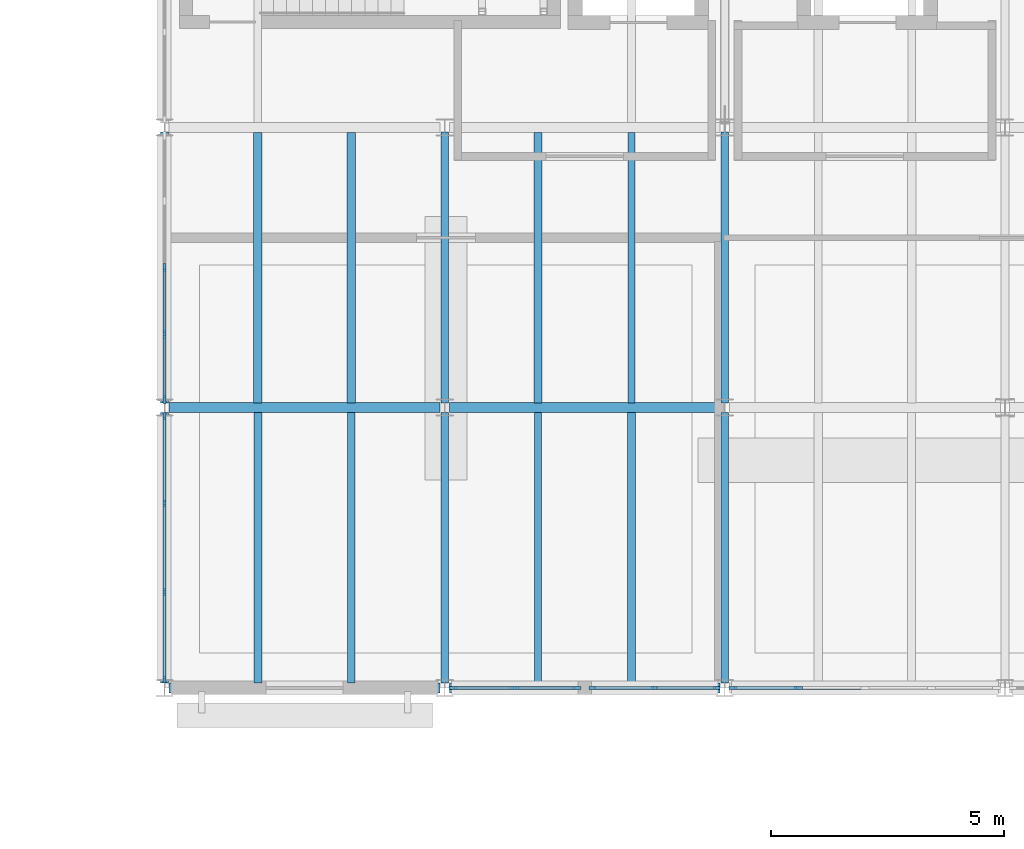
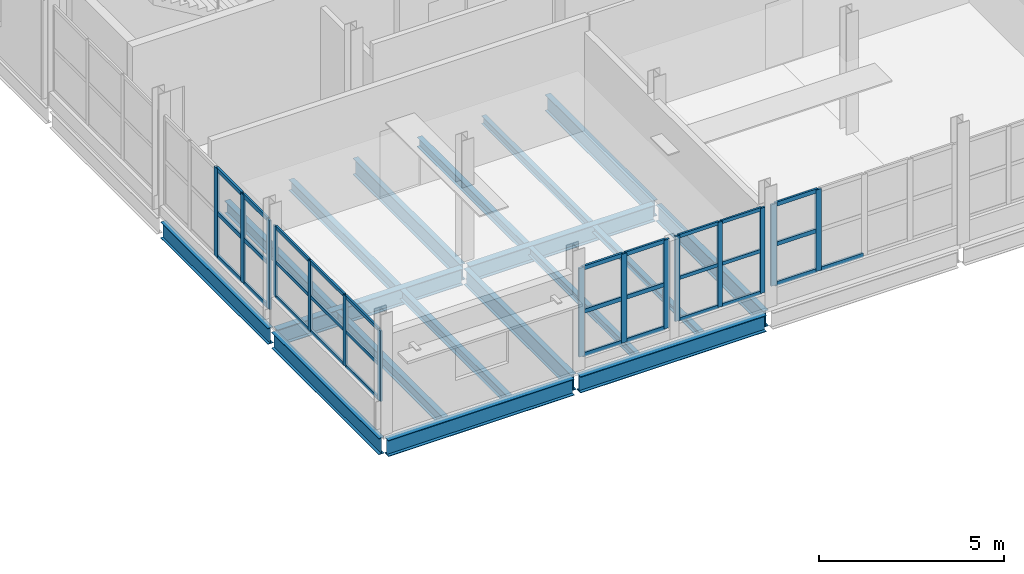
# One storey, part 14 of 45: 46 members, 18 beams, 5 elements without a shape of their own.
"""IFC4 building model written with IfcOpenShell, lengths in metres."""

from ifc_helpers import new_model, si_unit, direction, frame, origin, origin_2d, place, context, subcontext, project, spatial, rectangle, i_section, extrude, material, material_profile, profile_set, type_object, element, aggregate, save


model = new_model("IFC4")

# Units and contexts
model_context = context("Model", 3, precision=1e-05, world=origin(), true_north=direction((0.0, 1.0)))
body_context = subcontext(model_context, "Body", "Model", "MODEL_VIEW")
ifc_project = project(units=[si_unit("LENGTHUNIT", "METRE"), si_unit("AREAUNIT", "SQUARE_METRE"), si_unit("VOLUMEUNIT", "CUBIC_METRE"), si_unit("PLANEANGLEUNIT", "RADIAN"), si_unit("MASSUNIT", "GRAM", prefix="KILO")], contexts=[model_context])

# Site, building, storey
site_placement = place(None, origin())
site = spatial("IfcSite", under=ifc_project, at=site_placement, CompositionType="ELEMENT")
building_placement = place(site_placement, origin())
building = spatial("IfcBuilding", under=site, at=building_placement, Name="Siltcreek Boulevard Central Fire Station", CompositionType="ELEMENT")
storey_placement = place(building_placement, frame((0.0, 0.0, 10.0)))
storey = spatial("IfcBuildingStorey", under=building, at=storey_placement, Name="L03", CompositionType="ELEMENT", Elevation=10.0)

# Beams
ifc_material_1 = material(Name="Structural steel ASTM A992 Gr50", Category="steel")
ifc_material_profile_1 = material_profile(ifc_material_1, i_section(OverallWidth=0.2109375, OverallDepth=0.5390625, WebThickness=0.01171875, FlangeThickness=0.018798828125, at=origin_2d()), Name="W530X109")
ifc_profile_set_1 = profile_set([ifc_material_profile_1], Name="Structural steel ASTM A992 Gr50")
beam_type_1 = type_object("IfcBeamType", Name="BM_W530X109", PredefinedType="BEAM", material=ifc_profile_set_1)
for number, where, z_axis, x_axis, name in (
    (1, (124.300048828125, 88.199951171875, -0.549560546875), (1.0, 0.0, 0.0), (0.0, 1.0, 0.0), "L03 primary steel girder GX-0400"),
    (2, (130.300048828125, 88.199951171875, -0.549560546875), (1.0, 0.0, 0.0), (0.0, 1.0, 0.0), "L03 primary steel girder GX-0401"),
    (3, (124.300048828125, 94.199951171875, -0.549560546875), (1.0, 0.0, 0.0), (0.0, 1.0, 0.0), "L03 primary steel girder GX-0407"),
    (4, (130.300048828125, 94.199951171875, -0.549560546875), (1.0, 0.0, 0.0), (0.0, 1.0, 0.0), "L03 primary steel girder GX-0408"),
):
    element("IfcBeam", number, at=place(storey_placement, frame(where, z_axis=z_axis, x_axis=x_axis)), inside=storey, type_object=beam_type_1, Name=name, PredefinedType="BEAM", context=body_context, shape_type="SweptSolid", body=[
        extrude(i_section(OverallWidth=0.2109375, OverallDepth=0.5390625, WebThickness=0.01171875, FlangeThickness=0.018798828125, at=origin_2d()), origin(), (0.0, 0.0, 1.0), 5.800048828125),
    ])
ifc_material_profile_2 = material_profile(ifc_material_1, i_section(OverallWidth=0.166015625, OverallDepth=0.534912109375, WebThickness=0.01025390625, FlangeThickness=0.0166015625, at=origin_2d()), Name="W530X85")
ifc_profile_set_2 = profile_set([ifc_material_profile_2], Name="Structural steel ASTM A992 Gr50")
beam_type_2 = type_object("IfcBeamType", Name="BM_W530X85", PredefinedType="BEAM", material=ifc_profile_set_2)
for number, where, z_axis, x_axis, name in (
    (5, (124.199951171875, 88.300048828125, -0.547607421875), (0.0, 1.0, 0.0), (-1.0, 0.0, 0.0), "L03 primary steel girder GY-0435"),
    (6, (124.199951171875, 94.300048828125, -0.547607421875), (0.0, 1.0, 0.0), (-1.0, 0.0, 0.0), "L03 primary steel girder GY-0436"),
    (7, (130.199951171875, 88.300048828125, -0.547607421875), (0.0, 1.0, 0.0), (-1.0, 0.0, 0.0), "L03 primary steel girder GY-0439"),
    (8, (130.199951171875, 94.300048828125, -0.547607421875), (0.0, 1.0, 0.0), (-1.0, 0.0, 0.0), "L03 primary steel girder GY-0440"),
    (9, (136.199951171875, 88.300048828125, -0.547607421875), (0.0, 1.0, 0.0), (-1.0, 0.0, 0.0), "L03 primary steel girder GY-0442"),
    (10, (136.199951171875, 94.300048828125, -0.547607421875), (0.0, 1.0, 0.0), (-1.0, 0.0, 0.0), "L03 primary steel girder GY-0443"),
):
    element("IfcBeam", number, at=place(storey_placement, frame(where, z_axis=z_axis, x_axis=x_axis)), inside=storey, type_object=beam_type_2, Name=name, PredefinedType="BEAM", context=body_context, shape_type="SweptSolid", body=[
        extrude(i_section(OverallWidth=0.166015625, OverallDepth=0.534912109375, WebThickness=0.01025390625, FlangeThickness=0.0166015625, at=origin_2d()), origin(), (0.0, 0.0, 1.0), 5.800048828125),
    ])

# Curtain wall, members
ifc_material_2 = material(Name="Anodized aluminum and low-E insulated glazing", Category="aluminium")
curtain_wall_type_1 = type_object("IfcCurtainWallType", Name="CW_SYS_02", PredefinedType="USERDEFINED", material=ifc_material_2)
curtain_wall_1_placement = place(storey_placement, origin())
curtain_wall_1 = element("IfcCurtainWall", 11, at=curtain_wall_1_placement, inside=storey, type_object=curtain_wall_type_1, Name="L03 V5 unitised curtain wall CW-151", ObjectType="CURTAIN WALL", PredefinedType="USERDEFINED")
ifc_material_3 = material(Name="Anodized 6063-T6 aluminum framing", Category="aluminium")
ifc_material_profile_3 = material_profile(ifc_material_3, rectangle(XDim=0.06005859375, YDim=0.14990234375, at=origin_2d()), Name="MULL60X150")
ifc_profile_set_3 = profile_set([ifc_material_profile_3], Name="Anodized 6063-T6 aluminum framing")
member_type_1 = type_object("IfcMemberType", Name="CWM_60X150", PredefinedType="MULLION", material=ifc_profile_set_3)
member_1_placement = place(storey_placement, frame((133.3701171875, 88.199951171875, 0.43994140625), z_axis=(0.0, 0.0, 1.0), x_axis=(0.0, 1.0, 0.0)))
member_1 = element("IfcMember", 12, at=member_1_placement, type_object=member_type_1, Name="CW-151 mullion 1", PredefinedType="MULLION", context=body_context, shape_type="SweptSolid", body=[
    extrude(rectangle(XDim=0.06005859375, YDim=0.14990234375, at=origin_2d()), origin(), (0.0, 0.0, 1.0), 2.80908203125),
])
member_2_placement = place(storey_placement, frame((134.697509765625, 88.199951171875, 0.43994140625), z_axis=(0.0, 0.0, 1.0), x_axis=(0.0, 1.0, 0.0)))
member_2 = element("IfcMember", 13, at=member_2_placement, type_object=member_type_1, Name="CW-151 mullion 2", PredefinedType="MULLION", context=body_context, shape_type="SweptSolid", body=[
    extrude(rectangle(XDim=0.06005859375, YDim=0.14990234375, at=origin_2d()), origin(), (0.0, 0.0, 1.0), 2.80908203125),
])
member_3_placement = place(storey_placement, frame((136.02490234375, 88.199951171875, 0.43994140625), z_axis=(0.0, 0.0, 1.0), x_axis=(0.0, 1.0, 0.0)))
member_3 = element("IfcMember", 14, at=member_3_placement, type_object=member_type_1, Name="CW-151 mullion 3", PredefinedType="MULLION", context=body_context, shape_type="SweptSolid", body=[
    extrude(rectangle(XDim=0.06005859375, YDim=0.14990234375, at=origin_2d()), origin(), (0.0, 0.0, 1.0), 2.80908203125),
])

curtain_wall_type_2 = type_object("IfcCurtainWallType", Name="CW_SYS_12", PredefinedType="USERDEFINED", material=ifc_material_2)
curtain_wall_2_placement = place(storey_placement, origin())
curtain_wall_2 = element("IfcCurtainWall", 15, at=curtain_wall_2_placement, inside=storey, type_object=curtain_wall_type_2, Name="L03 V5 unitised curtain wall CW-161", ObjectType="CURTAIN WALL", PredefinedType="USERDEFINED")
member_4_placement = place(storey_placement, frame((124.199951171875, 94.02490234375, 0.919921875), z_axis=(0.0, 0.0, 1.0), x_axis=(1.0, 0.0, 0.0)))
member_4 = element("IfcMember", 16, at=member_4_placement, type_object=member_type_1, Name="CW-161 mullion 1", PredefinedType="MULLION", context=body_context, shape_type="SweptSolid", body=[
    extrude(rectangle(XDim=0.06005859375, YDim=0.14990234375, at=origin_2d()), origin(), (0.0, 0.0, 1.0), 2.3330078125),
])
member_5_placement = place(storey_placement, frame((124.199951171875, 92.151611328125, 0.919921875), z_axis=(0.0, 0.0, 1.0), x_axis=(1.0, 0.0, 0.0)))
member_5 = element("IfcMember", 17, at=member_5_placement, type_object=member_type_1, Name="CW-161 mullion 2", PredefinedType="MULLION", context=body_context, shape_type="SweptSolid", body=[
    extrude(rectangle(XDim=0.06005859375, YDim=0.14990234375, at=origin_2d()), origin(), (0.0, 0.0, 1.0), 2.3330078125),
])
member_6_placement = place(storey_placement, frame((124.199951171875, 90.248291015625, 0.919921875), z_axis=(0.0, 0.0, 1.0), x_axis=(1.0, 0.0, 0.0)))
member_6 = element("IfcMember", 18, at=member_6_placement, type_object=member_type_1, Name="CW-161 mullion 3", PredefinedType="MULLION", context=body_context, shape_type="SweptSolid", body=[
    extrude(rectangle(XDim=0.06005859375, YDim=0.14990234375, at=origin_2d()), origin(), (0.0, 0.0, 1.0), 2.3330078125),
])
member_7_placement = place(storey_placement, frame((124.199951171875, 88.375, 0.919921875), z_axis=(0.0, 0.0, 1.0), x_axis=(1.0, 0.0, 0.0)))
member_7 = element("IfcMember", 19, at=member_7_placement, type_object=member_type_1, Name="CW-161 mullion 4", PredefinedType="MULLION", context=body_context, shape_type="SweptSolid", body=[
    extrude(rectangle(XDim=0.06005859375, YDim=0.14990234375, at=origin_2d()), origin(), (0.0, 0.0, 1.0), 2.3330078125),
])

curtain_wall_type_3 = type_object("IfcCurtainWallType", Name="CW_SYS_01", PredefinedType="USERDEFINED", material=ifc_material_2)
curtain_wall_3_placement = place(storey_placement, origin())
curtain_wall_3 = element("IfcCurtainWall", 20, at=curtain_wall_3_placement, inside=storey, type_object=curtain_wall_type_3, Name="L03 V5 unitised curtain wall CW-150", ObjectType="CURTAIN WALL", PredefinedType="USERDEFINED")
ifc_material_profile_4 = material_profile(ifc_material_3, rectangle(XDim=0.06494140625, YDim=0.175048828125, at=origin_2d()), Name="MULL65X175")
ifc_profile_set_4 = profile_set([ifc_material_profile_4], Name="Anodized 6063-T6 aluminum framing")
member_type_2 = type_object("IfcMemberType", Name="CWM_65X175", PredefinedType="MULLION", material=ifc_profile_set_4)
member_8_placement = place(storey_placement, frame((130.37744140625, 88.199951171875, 0.320068359375), z_axis=(0.0, 0.0, 1.0), x_axis=(0.0, 1.0, 0.0)))
member_8 = element("IfcMember", 21, at=member_8_placement, type_object=member_type_2, Name="CW-150 mullion 1", PredefinedType="MULLION", context=body_context, shape_type="SweptSolid", body=[
    extrude(rectangle(XDim=0.06494140625, YDim=0.175048828125, at=origin_2d()), origin(), (0.0, 0.0, 1.0), 2.928955078125),
])
member_9_placement = place(storey_placement, frame((131.702392578125, 88.199951171875, 0.320068359375), z_axis=(0.0, 0.0, 1.0), x_axis=(0.0, 1.0, 0.0)))
member_9 = element("IfcMember", 22, at=member_9_placement, type_object=member_type_2, Name="CW-150 mullion 2", PredefinedType="MULLION", context=body_context, shape_type="SweptSolid", body=[
    extrude(rectangle(XDim=0.06494140625, YDim=0.175048828125, at=origin_2d()), origin(), (0.0, 0.0, 1.0), 2.928955078125),
])
member_10_placement = place(storey_placement, frame((133.027587890625, 88.199951171875, 0.320068359375), z_axis=(0.0, 0.0, 1.0), x_axis=(0.0, 1.0, 0.0)))
member_10 = element("IfcMember", 23, at=member_10_placement, type_object=member_type_2, Name="CW-150 mullion 3", PredefinedType="MULLION", context=body_context, shape_type="SweptSolid", body=[
    extrude(rectangle(XDim=0.06494140625, YDim=0.175048828125, at=origin_2d()), origin(), (0.0, 0.0, 1.0), 2.928955078125),
])

curtain_wall_type_4 = type_object("IfcCurtainWallType", Name="CW_SYS_03", PredefinedType="USERDEFINED", material=ifc_material_2)
curtain_wall_4_placement = place(storey_placement, origin())
curtain_wall_4 = element("IfcCurtainWall", 24, at=curtain_wall_4_placement, inside=storey, type_object=curtain_wall_type_4, Name="L03 V5 unitised curtain wall CW-152", ObjectType="CURTAIN WALL", PredefinedType="USERDEFINED")
member_11_placement = place(storey_placement, frame((136.37744140625, 88.199951171875, 0.56005859375), z_axis=(0.0, 0.0, 1.0), x_axis=(0.0, 1.0, 0.0)))
member_11 = element("IfcMember", 25, at=member_11_placement, type_object=member_type_2, Name="CW-152 mullion 1", PredefinedType="MULLION", context=body_context, shape_type="SweptSolid", body=[
    extrude(rectangle(XDim=0.06494140625, YDim=0.175048828125, at=origin_2d()), origin(), (0.0, 0.0, 1.0), 2.68896484375),
])
member_12_placement = place(storey_placement, frame((137.7724609375, 88.199951171875, 0.56005859375), z_axis=(0.0, 0.0, 1.0), x_axis=(0.0, 1.0, 0.0)))
member_12 = element("IfcMember", 26, at=member_12_placement, type_object=member_type_2, Name="CW-152 mullion 2", PredefinedType="MULLION", context=body_context, shape_type="SweptSolid", body=[
    extrude(rectangle(XDim=0.06494140625, YDim=0.175048828125, at=origin_2d()), origin(), (0.0, 0.0, 1.0), 2.68896484375),
])

curtain_wall_type_5 = type_object("IfcCurtainWallType", Name="CW_SYS_13", PredefinedType="USERDEFINED", material=ifc_material_2)
curtain_wall_5_placement = place(storey_placement, origin())
curtain_wall_5 = element("IfcCurtainWall", 27, at=curtain_wall_5_placement, inside=storey, type_object=curtain_wall_type_5, Name="L03 V5 unitised curtain wall CW-162", ObjectType="CURTAIN WALL", PredefinedType="USERDEFINED")
member_13_placement = place(storey_placement, frame((124.199951171875, 97.199951171875, 0.320068359375), z_axis=(0.0, 0.0, 1.0), x_axis=(1.0, 0.0, 0.0)))
member_13 = element("IfcMember", 28, at=member_13_placement, type_object=member_type_2, Name="CW-162 mullion 3", PredefinedType="MULLION", context=body_context, shape_type="SweptSolid", body=[
    extrude(rectangle(XDim=0.06494140625, YDim=0.175048828125, at=origin_2d()), origin(), (0.0, 0.0, 1.0), 2.932861328125),
])
member_14_placement = place(storey_placement, frame((124.199951171875, 95.7724609375, 0.320068359375), z_axis=(0.0, 0.0, 1.0), x_axis=(1.0, 0.0, 0.0)))
member_14 = element("IfcMember", 29, at=member_14_placement, type_object=member_type_2, Name="CW-162 mullion 4", PredefinedType="MULLION", context=body_context, shape_type="SweptSolid", body=[
    extrude(rectangle(XDim=0.06494140625, YDim=0.175048828125, at=origin_2d()), origin(), (0.0, 0.0, 1.0), 2.932861328125),
])
member_15_placement = place(storey_placement, frame((124.199951171875, 94.37744140625, 0.320068359375), z_axis=(0.0, 0.0, 1.0), x_axis=(1.0, 0.0, 0.0)))
member_15 = element("IfcMember", 30, at=member_15_placement, type_object=member_type_2, Name="CW-162 mullion 5", PredefinedType="MULLION", context=body_context, shape_type="SweptSolid", body=[
    extrude(rectangle(XDim=0.06494140625, YDim=0.175048828125, at=origin_2d()), origin(), (0.0, 0.0, 1.0), 2.932861328125),
])

# Member
ifc_material_profile_5 = material_profile(ifc_material_3, rectangle(XDim=0.06005859375, YDim=0.114990234375, at=origin_2d()), Name="TRAN60X115")
ifc_profile_set_5 = profile_set([ifc_material_profile_5], Name="Anodized 6063-T6 aluminum framing")
member_type_3 = type_object("IfcMemberType", Name="CWT_60X115", PredefinedType="USERDEFINED", material=ifc_profile_set_5)
member_16_placement = place(storey_placement, frame((133.39990234375, 88.199951171875, 0.469970703125), z_axis=(1.0, 0.0, 0.0), x_axis=(0.0, 1.0, 0.0)))
member_16 = element("IfcMember", 31, at=member_16_placement, type_object=member_type_3, Name="CW-151 transom 1.1", ObjectType="TRANSOM", PredefinedType="USERDEFINED", context=body_context, shape_type="SweptSolid", body=[
    extrude(rectangle(XDim=0.06005859375, YDim=0.114990234375, at=origin_2d()), origin(), (0.0, 0.0, 1.0), 1.267578125),
])

member_17_placement = place(storey_placement, frame((133.39990234375, 88.199951171875, 1.844482421875), z_axis=(1.0, 0.0, 0.0), x_axis=(0.0, 1.0, 0.0)))
member_17 = element("IfcMember", 32, at=member_17_placement, type_object=member_type_3, Name="CW-151 transom 1.2", ObjectType="TRANSOM", PredefinedType="USERDEFINED", context=body_context, shape_type="SweptSolid", body=[
    extrude(rectangle(XDim=0.06005859375, YDim=0.114990234375, at=origin_2d()), origin(), (0.0, 0.0, 1.0), 1.267578125),
])

member_18_placement = place(storey_placement, frame((133.39990234375, 88.199951171875, 3.218994140625), z_axis=(1.0, 0.0, 0.0), x_axis=(0.0, 1.0, 0.0)))
member_18 = element("IfcMember", 33, at=member_18_placement, type_object=member_type_3, Name="CW-151 transom 1.3", ObjectType="TRANSOM", PredefinedType="USERDEFINED", context=body_context, shape_type="SweptSolid", body=[
    extrude(rectangle(XDim=0.06005859375, YDim=0.114990234375, at=origin_2d()), origin(), (0.0, 0.0, 1.0), 1.267578125),
])

member_19_placement = place(storey_placement, frame((134.7275390625, 88.199951171875, 0.469970703125), z_axis=(1.0, 0.0, 0.0), x_axis=(0.0, 1.0, 0.0)))
member_19 = element("IfcMember", 34, at=member_19_placement, type_object=member_type_3, Name="CW-151 transom 2.1", ObjectType="TRANSOM", PredefinedType="USERDEFINED", context=body_context, shape_type="SweptSolid", body=[
    extrude(rectangle(XDim=0.06005859375, YDim=0.114990234375, at=origin_2d()), origin(), (0.0, 0.0, 1.0), 1.267578125),
])

member_20_placement = place(storey_placement, frame((134.7275390625, 88.199951171875, 1.844482421875), z_axis=(1.0, 0.0, 0.0), x_axis=(0.0, 1.0, 0.0)))
member_20 = element("IfcMember", 35, at=member_20_placement, type_object=member_type_3, Name="CW-151 transom 2.2", ObjectType="TRANSOM", PredefinedType="USERDEFINED", context=body_context, shape_type="SweptSolid", body=[
    extrude(rectangle(XDim=0.06005859375, YDim=0.114990234375, at=origin_2d()), origin(), (0.0, 0.0, 1.0), 1.267578125),
])

member_21_placement = place(storey_placement, frame((134.7275390625, 88.199951171875, 3.218994140625), z_axis=(1.0, 0.0, 0.0), x_axis=(0.0, 1.0, 0.0)))
member_21 = element("IfcMember", 36, at=member_21_placement, type_object=member_type_3, Name="CW-151 transom 2.3", ObjectType="TRANSOM", PredefinedType="USERDEFINED", context=body_context, shape_type="SweptSolid", body=[
    extrude(rectangle(XDim=0.06005859375, YDim=0.114990234375, at=origin_2d()), origin(), (0.0, 0.0, 1.0), 1.267578125),
])

aggregate(curtain_wall_1, [member_1, member_2, member_3, member_16, member_17, member_18, member_19, member_20, member_21])

member_22_placement = place(storey_placement, frame((124.199951171875, 93.9951171875, 0.949951171875), z_axis=(0.0, -1.0, 0.0), x_axis=(1.0, 0.0, 0.0)))
member_22 = element("IfcMember", 37, at=member_22_placement, type_object=member_type_3, Name="CW-161 transom 1.1", ObjectType="TRANSOM", PredefinedType="USERDEFINED", context=body_context, shape_type="SweptSolid", body=[
    extrude(rectangle(XDim=0.06005859375, YDim=0.114990234375, at=origin_2d()), origin(), (0.0, 0.0, 1.0), 1.8134765625),
])

member_23_placement = place(storey_placement, frame((124.199951171875, 93.9951171875, 2.08642578125), z_axis=(0.0, -1.0, 0.0), x_axis=(1.0, 0.0, 0.0)))
member_23 = element("IfcMember", 38, at=member_23_placement, type_object=member_type_3, Name="CW-161 transom 1.2", ObjectType="TRANSOM", PredefinedType="USERDEFINED", context=body_context, shape_type="SweptSolid", body=[
    extrude(rectangle(XDim=0.06005859375, YDim=0.114990234375, at=origin_2d()), origin(), (0.0, 0.0, 1.0), 1.8134765625),
])

member_24_placement = place(storey_placement, frame((124.199951171875, 93.9951171875, 3.222900390625), z_axis=(0.0, -1.0, 0.0), x_axis=(1.0, 0.0, 0.0)))
member_24 = element("IfcMember", 39, at=member_24_placement, type_object=member_type_3, Name="CW-161 transom 1.3", ObjectType="TRANSOM", PredefinedType="USERDEFINED", context=body_context, shape_type="SweptSolid", body=[
    extrude(rectangle(XDim=0.06005859375, YDim=0.114990234375, at=origin_2d()), origin(), (0.0, 0.0, 1.0), 1.8134765625),
])

member_25_placement = place(storey_placement, frame((124.199951171875, 92.12158203125, 0.949951171875), z_axis=(0.0, -1.0, 0.0), x_axis=(1.0, 0.0, 0.0)))
member_25 = element("IfcMember", 40, at=member_25_placement, type_object=member_type_3, Name="CW-161 transom 2.1", ObjectType="TRANSOM", PredefinedType="USERDEFINED", context=body_context, shape_type="SweptSolid", body=[
    extrude(rectangle(XDim=0.06005859375, YDim=0.114990234375, at=origin_2d()), origin(), (0.0, 0.0, 1.0), 1.84326171875),
])

member_26_placement = place(storey_placement, frame((124.199951171875, 92.12158203125, 2.08642578125), z_axis=(0.0, -1.0, 0.0), x_axis=(1.0, 0.0, 0.0)))
member_26 = element("IfcMember", 41, at=member_26_placement, type_object=member_type_3, Name="CW-161 transom 2.2", ObjectType="TRANSOM", PredefinedType="USERDEFINED", context=body_context, shape_type="SweptSolid", body=[
    extrude(rectangle(XDim=0.06005859375, YDim=0.114990234375, at=origin_2d()), origin(), (0.0, 0.0, 1.0), 1.84326171875),
])

member_27_placement = place(storey_placement, frame((124.199951171875, 92.12158203125, 3.222900390625), z_axis=(0.0, -1.0, 0.0), x_axis=(1.0, 0.0, 0.0)))
member_27 = element("IfcMember", 42, at=member_27_placement, type_object=member_type_3, Name="CW-161 transom 2.3", ObjectType="TRANSOM", PredefinedType="USERDEFINED", context=body_context, shape_type="SweptSolid", body=[
    extrude(rectangle(XDim=0.06005859375, YDim=0.114990234375, at=origin_2d()), origin(), (0.0, 0.0, 1.0), 1.84326171875),
])

member_28_placement = place(storey_placement, frame((124.199951171875, 90.21826171875, 0.949951171875), z_axis=(0.0, -1.0, 0.0), x_axis=(1.0, 0.0, 0.0)))
member_28 = element("IfcMember", 43, at=member_28_placement, type_object=member_type_3, Name="CW-161 transom 3.1", ObjectType="TRANSOM", PredefinedType="USERDEFINED", context=body_context, shape_type="SweptSolid", body=[
    extrude(rectangle(XDim=0.06005859375, YDim=0.114990234375, at=origin_2d()), origin(), (0.0, 0.0, 1.0), 1.813232421875),
])

member_29_placement = place(storey_placement, frame((124.199951171875, 90.21826171875, 2.08642578125), z_axis=(0.0, -1.0, 0.0), x_axis=(1.0, 0.0, 0.0)))
member_29 = element("IfcMember", 44, at=member_29_placement, type_object=member_type_3, Name="CW-161 transom 3.2", ObjectType="TRANSOM", PredefinedType="USERDEFINED", context=body_context, shape_type="SweptSolid", body=[
    extrude(rectangle(XDim=0.06005859375, YDim=0.114990234375, at=origin_2d()), origin(), (0.0, 0.0, 1.0), 1.813232421875),
])

member_30_placement = place(storey_placement, frame((124.199951171875, 90.21826171875, 3.222900390625), z_axis=(0.0, -1.0, 0.0), x_axis=(1.0, 0.0, 0.0)))
member_30 = element("IfcMember", 45, at=member_30_placement, type_object=member_type_3, Name="CW-161 transom 3.3", ObjectType="TRANSOM", PredefinedType="USERDEFINED", context=body_context, shape_type="SweptSolid", body=[
    extrude(rectangle(XDim=0.06005859375, YDim=0.114990234375, at=origin_2d()), origin(), (0.0, 0.0, 1.0), 1.813232421875),
])

aggregate(curtain_wall_2, [member_4, member_5, member_6, member_7, member_22, member_23, member_24, member_25, member_26, member_27, member_28, member_29, member_30])

ifc_material_profile_6 = material_profile(ifc_material_3, rectangle(XDim=0.06494140625, YDim=0.135009765625, at=origin_2d()), Name="TRAN65X135")
ifc_profile_set_6 = profile_set([ifc_material_profile_6], Name="Anodized 6063-T6 aluminum framing")
member_type_4 = type_object("IfcMemberType", Name="CWT_65X135", PredefinedType="USERDEFINED", material=ifc_profile_set_6)
member_31_placement = place(storey_placement, frame((130.409912109375, 88.199951171875, 0.3525390625), z_axis=(1.0, 0.0, 0.0), x_axis=(0.0, 1.0, 0.0)))
member_31 = element("IfcMember", 46, at=member_31_placement, type_object=member_type_4, Name="CW-150 transom 1.1", ObjectType="TRANSOM", PredefinedType="USERDEFINED", context=body_context, shape_type="SweptSolid", body=[
    extrude(rectangle(XDim=0.06494140625, YDim=0.135009765625, at=origin_2d()), origin(), (0.0, 0.0, 1.0), 1.260009765625),
])

member_32_placement = place(storey_placement, frame((130.409912109375, 88.199951171875, 1.784423828125), z_axis=(1.0, 0.0, 0.0), x_axis=(0.0, 1.0, 0.0)))
member_32 = element("IfcMember", 47, at=member_32_placement, type_object=member_type_4, Name="CW-150 transom 1.2", ObjectType="TRANSOM", PredefinedType="USERDEFINED", context=body_context, shape_type="SweptSolid", body=[
    extrude(rectangle(XDim=0.06494140625, YDim=0.135009765625, at=origin_2d()), origin(), (0.0, 0.0, 1.0), 1.260009765625),
])

member_33_placement = place(storey_placement, frame((130.409912109375, 88.199951171875, 3.216552734375), z_axis=(1.0, 0.0, 0.0), x_axis=(0.0, 1.0, 0.0)))
member_33 = element("IfcMember", 48, at=member_33_placement, type_object=member_type_4, Name="CW-150 transom 1.3", ObjectType="TRANSOM", PredefinedType="USERDEFINED", context=body_context, shape_type="SweptSolid", body=[
    extrude(rectangle(XDim=0.06494140625, YDim=0.135009765625, at=origin_2d()), origin(), (0.0, 0.0, 1.0), 1.260009765625),
])

member_34_placement = place(storey_placement, frame((131.735107421875, 88.199951171875, 0.3525390625), z_axis=(1.0, 0.0, 0.0), x_axis=(0.0, 1.0, 0.0)))
member_34 = element("IfcMember", 49, at=member_34_placement, type_object=member_type_4, Name="CW-150 transom 2.1", ObjectType="TRANSOM", PredefinedType="USERDEFINED", context=body_context, shape_type="SweptSolid", body=[
    extrude(rectangle(XDim=0.06494140625, YDim=0.135009765625, at=origin_2d()), origin(), (0.0, 0.0, 1.0), 1.260009765625),
])

member_35_placement = place(storey_placement, frame((131.735107421875, 88.199951171875, 1.784423828125), z_axis=(1.0, 0.0, 0.0), x_axis=(0.0, 1.0, 0.0)))
member_35 = element("IfcMember", 50, at=member_35_placement, type_object=member_type_4, Name="CW-150 transom 2.2", ObjectType="TRANSOM", PredefinedType="USERDEFINED", context=body_context, shape_type="SweptSolid", body=[
    extrude(rectangle(XDim=0.06494140625, YDim=0.135009765625, at=origin_2d()), origin(), (0.0, 0.0, 1.0), 1.260009765625),
])

member_36_placement = place(storey_placement, frame((131.735107421875, 88.199951171875, 3.216552734375), z_axis=(1.0, 0.0, 0.0), x_axis=(0.0, 1.0, 0.0)))
member_36 = element("IfcMember", 51, at=member_36_placement, type_object=member_type_4, Name="CW-150 transom 2.3", ObjectType="TRANSOM", PredefinedType="USERDEFINED", context=body_context, shape_type="SweptSolid", body=[
    extrude(rectangle(XDim=0.06494140625, YDim=0.135009765625, at=origin_2d()), origin(), (0.0, 0.0, 1.0), 1.260009765625),
])

aggregate(curtain_wall_3, [member_8, member_9, member_10, member_31, member_32, member_33, member_34, member_35, member_36])

member_37_placement = place(storey_placement, frame((136.409912109375, 88.199951171875, 0.592529296875), z_axis=(1.0, 0.0, 0.0), x_axis=(0.0, 1.0, 0.0)))
member_37 = element("IfcMember", 52, at=member_37_placement, type_object=member_type_4, Name="CW-152 transom 1.1", ObjectType="TRANSOM", PredefinedType="USERDEFINED", context=body_context, shape_type="SweptSolid", body=[
    extrude(rectangle(XDim=0.06494140625, YDim=0.135009765625, at=origin_2d()), origin(), (0.0, 0.0, 1.0), 1.330078125),
])

member_38_placement = place(storey_placement, frame((136.409912109375, 88.199951171875, 1.904541015625), z_axis=(1.0, 0.0, 0.0), x_axis=(0.0, 1.0, 0.0)))
member_38 = element("IfcMember", 53, at=member_38_placement, type_object=member_type_4, Name="CW-152 transom 1.2", ObjectType="TRANSOM", PredefinedType="USERDEFINED", context=body_context, shape_type="SweptSolid", body=[
    extrude(rectangle(XDim=0.06494140625, YDim=0.135009765625, at=origin_2d()), origin(), (0.0, 0.0, 1.0), 1.330078125),
])

member_39_placement = place(storey_placement, frame((136.409912109375, 88.199951171875, 3.216552734375), z_axis=(1.0, 0.0, 0.0), x_axis=(0.0, 1.0, 0.0)))
member_39 = element("IfcMember", 54, at=member_39_placement, type_object=member_type_4, Name="CW-152 transom 1.3", ObjectType="TRANSOM", PredefinedType="USERDEFINED", context=body_context, shape_type="SweptSolid", body=[
    extrude(rectangle(XDim=0.06494140625, YDim=0.135009765625, at=origin_2d()), origin(), (0.0, 0.0, 1.0), 1.330078125),
])

member_40_placement = place(storey_placement, frame((137.804931640625, 88.199951171875, 0.592529296875), z_axis=(1.0, 0.0, 0.0), x_axis=(0.0, 1.0, 0.0)))
member_40 = element("IfcMember", 55, at=member_40_placement, type_object=member_type_4, Name="CW-152 transom 2.1", ObjectType="TRANSOM", PredefinedType="USERDEFINED", context=body_context, shape_type="SweptSolid", body=[
    extrude(rectangle(XDim=0.06494140625, YDim=0.135009765625, at=origin_2d()), origin(), (0.0, 0.0, 1.0), 1.362548828125),
])

aggregate(curtain_wall_4, [member_11, member_12, member_37, member_38, member_39, member_40])

member_41_placement = place(storey_placement, frame((124.199951171875, 97.16748046875, 0.3525390625), z_axis=(0.0, -1.0, 0.0), x_axis=(1.0, 0.0, 0.0)))
member_41 = element("IfcMember", 56, at=member_41_placement, type_object=member_type_4, Name="CW-162 transom 3.1", ObjectType="TRANSOM", PredefinedType="USERDEFINED", context=body_context, shape_type="SweptSolid", body=[
    extrude(rectangle(XDim=0.06494140625, YDim=0.135009765625, at=origin_2d()), origin(), (0.0, 0.0, 1.0), 1.362548828125),
])

member_42_placement = place(storey_placement, frame((124.199951171875, 97.16748046875, 1.78662109375), z_axis=(0.0, -1.0, 0.0), x_axis=(1.0, 0.0, 0.0)))
member_42 = element("IfcMember", 57, at=member_42_placement, type_object=member_type_4, Name="CW-162 transom 3.2", ObjectType="TRANSOM", PredefinedType="USERDEFINED", context=body_context, shape_type="SweptSolid", body=[
    extrude(rectangle(XDim=0.06494140625, YDim=0.135009765625, at=origin_2d()), origin(), (0.0, 0.0, 1.0), 1.362548828125),
])

member_43_placement = place(storey_placement, frame((124.199951171875, 97.16748046875, 3.220458984375), z_axis=(0.0, -1.0, 0.0), x_axis=(1.0, 0.0, 0.0)))
member_43 = element("IfcMember", 58, at=member_43_placement, type_object=member_type_4, Name="CW-162 transom 3.3", ObjectType="TRANSOM", PredefinedType="USERDEFINED", context=body_context, shape_type="SweptSolid", body=[
    extrude(rectangle(XDim=0.06494140625, YDim=0.135009765625, at=origin_2d()), origin(), (0.0, 0.0, 1.0), 1.362548828125),
])

member_44_placement = place(storey_placement, frame((124.199951171875, 95.739990234375, 0.3525390625), z_axis=(0.0, -1.0, 0.0), x_axis=(1.0, 0.0, 0.0)))
member_44 = element("IfcMember", 59, at=member_44_placement, type_object=member_type_4, Name="CW-162 transom 4.1", ObjectType="TRANSOM", PredefinedType="USERDEFINED", context=body_context, shape_type="SweptSolid", body=[
    extrude(rectangle(XDim=0.06494140625, YDim=0.135009765625, at=origin_2d()), origin(), (0.0, 0.0, 1.0), 1.330078125),
])

member_45_placement = place(storey_placement, frame((124.199951171875, 95.739990234375, 1.78662109375), z_axis=(0.0, -1.0, 0.0), x_axis=(1.0, 0.0, 0.0)))
member_45 = element("IfcMember", 60, at=member_45_placement, type_object=member_type_4, Name="CW-162 transom 4.2", ObjectType="TRANSOM", PredefinedType="USERDEFINED", context=body_context, shape_type="SweptSolid", body=[
    extrude(rectangle(XDim=0.06494140625, YDim=0.135009765625, at=origin_2d()), origin(), (0.0, 0.0, 1.0), 1.330078125),
])

member_46_placement = place(storey_placement, frame((124.199951171875, 95.739990234375, 3.220458984375), z_axis=(0.0, -1.0, 0.0), x_axis=(1.0, 0.0, 0.0)))
member_46 = element("IfcMember", 61, at=member_46_placement, type_object=member_type_4, Name="CW-162 transom 4.3", ObjectType="TRANSOM", PredefinedType="USERDEFINED", context=body_context, shape_type="SweptSolid", body=[
    extrude(rectangle(XDim=0.06494140625, YDim=0.135009765625, at=origin_2d()), origin(), (0.0, 0.0, 1.0), 1.330078125),
])

aggregate(curtain_wall_5, [member_13, member_14, member_15, member_41, member_42, member_43, member_44, member_45, member_46])

# Beams
ifc_material_profile_7 = material_profile(ifc_material_1, i_section(OverallWidth=0.1650390625, OverallDepth=0.200927734375, WebThickness=0.006103515625, FlangeThickness=0.01025390625, at=origin_2d()), Name="W200X36")
ifc_profile_set_7 = profile_set([ifc_material_profile_7], Name="Structural steel ASTM A992 Gr50")
beam_type_3 = type_object("IfcBeamType", Name="JST_W200X36", PredefinedType="JOIST", material=ifc_profile_set_7)
beam_1_placement = place(storey_placement, frame((134.199951171875, 88.303466796875, -0.380615234375), z_axis=(0.0, 1.0, 0.0), x_axis=(-1.0, 0.0, 0.0)))
element("IfcBeam", 62, at=beam_1_placement, inside=storey, type_object=beam_type_3, Name="L03 secondary steel floor joist 0356", PredefinedType="JOIST", context=body_context, shape_type="SweptSolid", body=[
    extrude(i_section(OverallWidth=0.1650390625, OverallDepth=0.200927734375, WebThickness=0.006103515625, FlangeThickness=0.01025390625, at=origin_2d()), origin(), (0.0, 0.0, 1.0), 5.79296875),
])
ifc_material_profile_8 = material_profile(ifc_material_1, i_section(OverallWidth=0.14697265625, OverallDepth=0.261962890625, WebThickness=0.006591796875, FlangeThickness=0.01123046875, at=origin_2d()), Name="W250X39")
ifc_profile_set_8 = profile_set([ifc_material_profile_8], Name="Structural steel ASTM A992 Gr50")
beam_type_4 = type_object("IfcBeamType", Name="JST_W250X39", PredefinedType="JOIST", material=ifc_profile_set_8)
for number, where, z_axis, x_axis, name in (
    (63, (132.199951171875, 88.303466796875, -0.410888671875), (0.0, 1.0, 0.0), (-1.0, 0.0, 0.0), "L03 secondary steel floor joist 0355"),
    (64, (134.199951171875, 94.303466796875, -0.410888671875), (0.0, 1.0, 0.0), (-1.0, 0.0, 0.0), "L03 secondary steel floor joist 0370"),
):
    element("IfcBeam", number, at=place(storey_placement, frame(where, z_axis=z_axis, x_axis=x_axis)), inside=storey, type_object=beam_type_4, Name=name, PredefinedType="JOIST", context=body_context, shape_type="SweptSolid", body=[
        extrude(i_section(OverallWidth=0.14697265625, OverallDepth=0.261962890625, WebThickness=0.006591796875, FlangeThickness=0.01123046875, at=origin_2d()), origin(), (0.0, 0.0, 1.0), 5.79296875),
    ])
ifc_material_profile_9 = material_profile(ifc_material_1, i_section(OverallWidth=0.166015625, OverallDepth=0.31298828125, WebThickness=0.006591796875, FlangeThickness=0.01123046875, at=origin_2d()), Name="W310X45")
ifc_profile_set_9 = profile_set([ifc_material_profile_9], Name="Structural steel ASTM A992 Gr50")
beam_type_5 = type_object("IfcBeamType", Name="JST_W310X45", PredefinedType="JOIST", material=ifc_profile_set_9)
for number, where, z_axis, x_axis, name in (
    (65, (128.199951171875, 88.303466796875, -0.4365234375), (0.0, 1.0, 0.0), (-1.0, 0.0, 0.0), "L03 secondary steel floor joist 0354"),
    (66, (132.199951171875, 94.303466796875, -0.4365234375), (0.0, 1.0, 0.0), (-1.0, 0.0, 0.0), "L03 secondary steel floor joist 0369"),
):
    element("IfcBeam", number, at=place(storey_placement, frame(where, z_axis=z_axis, x_axis=x_axis)), inside=storey, type_object=beam_type_5, Name=name, PredefinedType="JOIST", context=body_context, shape_type="SweptSolid", body=[
        extrude(i_section(OverallWidth=0.166015625, OverallDepth=0.31298828125, WebThickness=0.006591796875, FlangeThickness=0.01123046875, at=origin_2d()), origin(), (0.0, 0.0, 1.0), 5.79296875),
    ])
ifc_material_profile_10 = material_profile(ifc_material_1, i_section(OverallWidth=0.172119140625, OverallDepth=0.35791015625, WebThickness=0.0078125, FlangeThickness=0.01318359375, at=origin_2d()), Name="W360X57")
ifc_profile_set_10 = profile_set([ifc_material_profile_10], Name="Structural steel ASTM A992 Gr50")
beam_type_6 = type_object("IfcBeamType", Name="JST_W360X57", PredefinedType="JOIST", material=ifc_profile_set_10)
for number, where, z_axis, x_axis, name in (
    (67, (126.199951171875, 88.303466796875, -0.458984375), (0.0, 1.0, 0.0), (-1.0, 0.0, 0.0), "L03 secondary steel floor joist 0353"),
    (68, (128.199951171875, 94.303466796875, -0.458984375), (0.0, 1.0, 0.0), (-1.0, 0.0, 0.0), "L03 secondary steel floor joist 0368"),
):
    element("IfcBeam", number, at=place(storey_placement, frame(where, z_axis=z_axis, x_axis=x_axis)), inside=storey, type_object=beam_type_6, Name=name, PredefinedType="JOIST", context=body_context, shape_type="SweptSolid", body=[
        extrude(i_section(OverallWidth=0.172119140625, OverallDepth=0.35791015625, WebThickness=0.0078125, FlangeThickness=0.01318359375, at=origin_2d()), origin(), (0.0, 0.0, 1.0), 5.79296875),
    ])
ifc_material_profile_11 = material_profile(ifc_material_1, i_section(OverallWidth=0.177001953125, OverallDepth=0.403076171875, WebThickness=0.007568359375, FlangeThickness=0.010986328125, at=origin_2d()), Name="W410X53")
ifc_profile_set_11 = profile_set([ifc_material_profile_11], Name="Structural steel ASTM A992 Gr50")
beam_type_7 = type_object("IfcBeamType", Name="JST_W410X53", PredefinedType="JOIST", material=ifc_profile_set_11)
beam_2_placement = place(storey_placement, frame((126.199951171875, 94.303466796875, -0.4814453125), z_axis=(0.0, 1.0, 0.0), x_axis=(-1.0, 0.0, 0.0)))
element("IfcBeam", 69, at=beam_2_placement, inside=storey, type_object=beam_type_7, Name="L03 secondary steel floor joist 0367", PredefinedType="JOIST", context=body_context, shape_type="SweptSolid", body=[
    extrude(i_section(OverallWidth=0.177001953125, OverallDepth=0.403076171875, WebThickness=0.007568359375, FlangeThickness=0.010986328125, at=origin_2d()), origin(), (0.0, 0.0, 1.0), 5.79296875),
])

save(model, "model.ifc")
